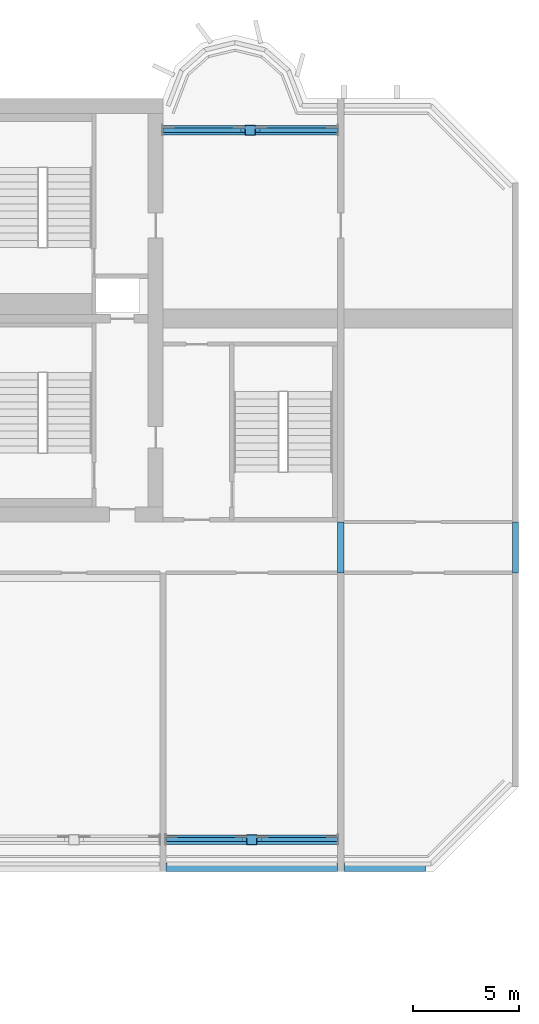
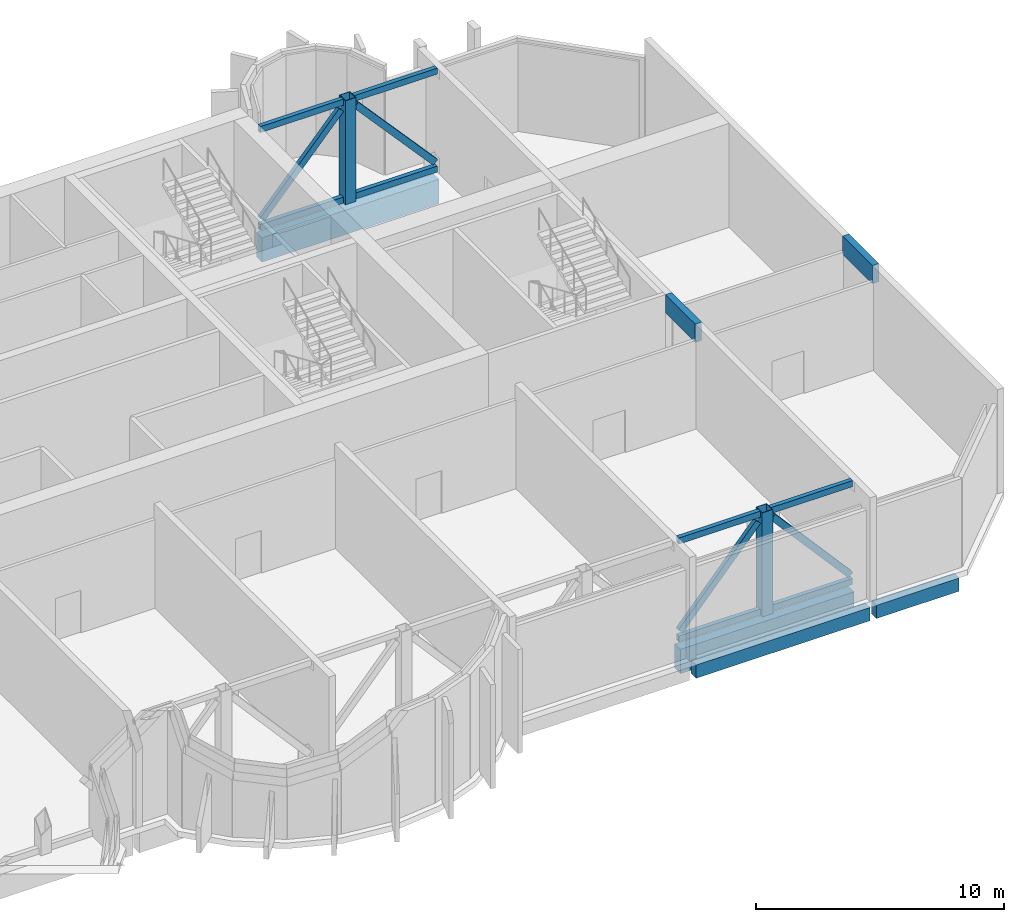
# One storey, part 2 of 15: 14 members, 6 beams.
"""IFC4 building model written with IfcOpenShell, lengths in metres."""

from ifc_helpers import new_model, si_unit, direction, frame, origin, origin_2d, place, context, subcontext, project, spatial, rectangle, hollow_rectangle, extrude, source, transform, mapped, material, material_profile, profile_set, type_object, element, save


model = new_model("IFC4")

# Units and contexts
model_context = context("Model", 3, precision=1e-05, world=origin(), true_north=direction((0.0, 1.0)))
body_context = subcontext(model_context, "Body", "Model", "MODEL_VIEW")
ifc_project = project(units=[si_unit("LENGTHUNIT", "METRE"), si_unit("AREAUNIT", "SQUARE_METRE"), si_unit("VOLUMEUNIT", "CUBIC_METRE"), si_unit("PLANEANGLEUNIT", "RADIAN"), si_unit("MASSUNIT", "GRAM", prefix="KILO")], contexts=[model_context])

# Site, building, storey
site_placement = place(None, origin())
site = spatial("IfcSite", under=ifc_project, at=site_placement, CompositionType="ELEMENT")
building_placement = place(site_placement, origin())
building = spatial("IfcBuilding", under=site, at=building_placement, Name="Vanashikhar Sky Hotel", CompositionType="ELEMENT")
storey_placement = place(building_placement, frame((0.0, 0.0, 201.0)))
storey = spatial("IfcBuildingStorey", under=building, at=storey_placement, Name="L49", CompositionType="ELEMENT", Elevation=201.0)

# Beams
ifc_material_1 = material(Name="Concrete M50", Category="concrete")
ifc_material_profile_1 = material_profile(ifc_material_1, rectangle(XDim=0.300048828125, YDim=0.89990234375, at=origin_2d()))
ifc_profile_set_1 = profile_set([ifc_material_profile_1], Name="RC 300x900 beam Concrete M50")
beam_type_1 = type_object("IfcBeamType", Name="RC 300x900 beam Concrete M50", PredefinedType="LINTEL", material=ifc_profile_set_1)
shared_shape_1 = source(origin(), body_context, "Body", "SweptSolid", [
    extrude(rectangle(XDim=0.300048828125, YDim=0.89990234375, at=origin_2d()), origin(), (0.0, 0.0, 1.0), 2.39990234375),
])
for number, where, z_axis, x_axis, name in (
    (1, (84.0, 19.60009765625, 4.669921875), (0.0, 1.0, 0.0), (-1.0, 0.0, 0.0), "LB-L49-XW11"),
    (2, (92.25, 19.60009765625, 4.669921875), (0.0, 1.0, 0.0), (-1.0, 0.0, 0.0), "LB-L49-XW12"),
):
    element("IfcBeam", number, at=place(storey_placement, frame(where, z_axis=z_axis, x_axis=x_axis)), inside=storey, type_object=beam_type_1, Name=name, PredefinedType="LINTEL", context=body_context, shape_type="MappedRepresentation", body=[
        mapped(shared_shape_1, transform((0.0, 0.0, 0.0), scale=1.0)),
    ])
ifc_material_profile_2 = material_profile(ifc_material_1, rectangle(XDim=0.39990234375, YDim=0.64990234375, at=origin_2d()))
ifc_profile_set_2 = profile_set([ifc_material_profile_2], Name="RC 400x650 beam Concrete M50")
beam_type_2 = type_object("IfcBeamType", Name="RC 400x650 beam Concrete M50", PredefinedType="BEAM", material=ifc_profile_set_2)
shared_shape_2 = source(origin(), body_context, "Body", "SweptSolid", [
    extrude(rectangle(XDim=0.39990234375, YDim=0.64990234375, at=origin_2d()), origin(), (0.0, 0.0, 1.0), 8.10009765625),
])
beam_1_placement = place(storey_placement, frame((75.75, 5.699951171875, -0.60498046875), z_axis=(1.0, 0.0, 0.0), x_axis=(0.0, 1.0, 0.0)))
element("IfcBeam", 3, at=beam_1_placement, inside=storey, type_object=beam_type_2, Name="EB-L49-F05", PredefinedType="BEAM", context=body_context, shape_type="MappedRepresentation", body=[
    mapped(shared_shape_2, transform((0.0, 0.0, 0.0), scale=1.0)),
])
ifc_material_profile_3 = material_profile(ifc_material_1, rectangle(XDim=0.39990234375, YDim=0.64990234375, at=origin_2d()))
ifc_profile_set_3 = profile_set([ifc_material_profile_3], Name="RC 400x650 cantilever beam Concrete M50")
beam_type_3 = type_object("IfcBeamType", Name="RC 400x650 cantilever beam Concrete M50", PredefinedType="SPANDREL", material=ifc_profile_set_3)
shared_shape_3 = source(origin(), body_context, "Body", "SweptSolid", [
    extrude(rectangle(XDim=0.39990234375, YDim=0.64990234375, at=origin_2d()), origin(), (0.0, 0.0, 1.0), 3.85009765625),
])
beam_2_placement = place(storey_placement, frame((84.14990234375, 5.699951171875, -0.60498046875), z_axis=(1.0, 0.0, 0.0), x_axis=(0.0, 1.0, 0.0)))
element("IfcBeam", 4, at=beam_2_placement, inside=storey, type_object=beam_type_3, Name="EB-L49-F06", PredefinedType="SPANDREL", context=body_context, shape_type="MappedRepresentation", body=[
    mapped(shared_shape_3, transform((0.0, 0.0, 0.0), scale=1.0)),
])
ifc_material_profile_4 = material_profile(ifc_material_1, rectangle(XDim=0.449951171875, YDim=1.199951171875, at=origin_2d()))
ifc_profile_set_4 = profile_set([ifc_material_profile_4], Name="RC 450x1200 beam Concrete M50")
beam_type_4 = type_object("IfcBeamType", Name="RC 450x1200 beam Concrete M50", PredefinedType="BEAM", material=ifc_profile_set_4)
shared_shape_4 = source(origin(), body_context, "Body", "SweptSolid", [
    extrude(rectangle(XDim=0.449951171875, YDim=1.199951171875, at=origin_2d()), origin(), (0.0, 0.0, 1.0), 8.10009765625),
])
beam_3_placement = place(storey_placement, frame((75.75, 7.0, -0.8798828125), z_axis=(1.0, 0.0, 0.0), x_axis=(0.0, 1.0, 0.0)))
element("IfcBeam", 5, at=beam_3_placement, inside=storey, type_object=beam_type_4, Name="TG-L49-F08", PredefinedType="BEAM", context=body_context, shape_type="MappedRepresentation", body=[
    mapped(shared_shape_4, transform((0.0, 0.0, 0.0), scale=1.0)),
])

# Members
ifc_material_2 = material(Name="Steel S355", Category="steel")
ifc_material_profile_5 = material_profile(ifc_material_2, hollow_rectangle(XDim=0.5, YDim=0.5, WallThickness=0.02490234375, at=origin_2d()))
ifc_profile_set_5 = profile_set([ifc_material_profile_5], Name="RHS 500x500x25 Steel S355")
member_type_1 = type_object("IfcMemberType", Name="RHS 500x500x25 Steel S355", PredefinedType="POST", material=ifc_profile_set_5)
shared_shape_5 = source(origin(), body_context, "Body", "SweptSolid", [
    extrude(hollow_rectangle(XDim=0.5, YDim=0.5, WallThickness=0.02490234375, at=origin_2d()), origin(), (0.0, 0.0, 1.0), 5.1201171875),
])
for number, where, z_axis, x_axis, name in (
    (6, (79.800048828125, 7.0, 0.0), (0.0, 0.0, 1.0), (1.0, 0.0, 0.0), "BP-L49-F08"),
    (7, (79.72509765625, 40.5, 0.0), (0.0, 0.0, 1.0), (1.0, 0.0, 0.0), "BP-L49-R10"),
):
    element("IfcMember", number, at=place(storey_placement, frame(where, z_axis=z_axis, x_axis=x_axis)), inside=storey, type_object=member_type_1, Name=name, PredefinedType="POST", context=body_context, shape_type="MappedRepresentation", body=[
        mapped(shared_shape_5, transform((0.0, 0.0, 0.0), scale=1.0)),
    ])
ifc_material_profile_6 = material_profile(ifc_material_2, hollow_rectangle(XDim=0.199951171875, YDim=0.300048828125, WallThickness=0.011962890625, at=origin_2d()))
ifc_profile_set_6 = profile_set([ifc_material_profile_6], Name="RHS 300x200x12 Steel S355")
member_type_2 = type_object("IfcMemberType", Name="RHS 300x200x12 Steel S355", PredefinedType="BRACE", material=ifc_profile_set_6)
shared_shape_6 = source(origin(), body_context, "Body", "SweptSolid", [
    extrude(hollow_rectangle(XDim=0.199951171875, YDim=0.300048828125, WallThickness=0.011962890625, at=origin_2d()), origin(), (0.0, 0.0, 1.0), 3.800048828125),
])
for number, where, z_axis, x_axis, name in (
    (8, (75.75, 7.0, 0.14990234375), (1.0, 0.0, 0.0), (0.0, 1.0, 0.0), "BC-L49-F08BL"),
    (9, (80.050048828125, 7.0, 0.14990234375), (1.0, 0.0, 0.0), (0.0, 1.0, 0.0), "BC-L49-F08BR"),
    (10, (75.75, 7.0, 4.969970703125), (1.0, 0.0, 0.0), (0.0, 1.0, 0.0), "BC-L49-F08TL"),
    (11, (80.050048828125, 7.0, 4.969970703125), (1.0, 0.0, 0.0), (0.0, 1.0, 0.0), "BC-L49-F08TR"),
):
    element("IfcMember", number, at=place(storey_placement, frame(where, z_axis=z_axis, x_axis=x_axis)), inside=storey, type_object=member_type_2, Name=name, PredefinedType="CHORD", context=body_context, shape_type="MappedRepresentation", body=[
        mapped(shared_shape_6, transform((0.0, 0.0, 0.0), scale=1.0)),
    ])
shared_shape_7 = source(origin(), body_context, "Body", "SweptSolid", [
    extrude(hollow_rectangle(XDim=0.199951171875, YDim=0.300048828125, WallThickness=0.011962890625, at=origin_2d()), origin(), (0.0, 0.0, 1.0), 5.484375),
])
member_1_placement = place(storey_placement, frame((75.840087890625, 7.0, 0.5), z_axis=(0.660028594275, 0.0, 0.751240477304), x_axis=(0.0, 1.0, 0.0)))
element("IfcMember", 12, at=member_1_placement, inside=storey, type_object=member_type_2, Name="BD-L49-F08L", PredefinedType="BRACE", context=body_context, shape_type="MappedRepresentation", body=[
    mapped(shared_shape_7, transform((0.0, 0.0, 0.0), scale=1.0)),
])
shared_shape_8 = source(origin(), body_context, "Body", "SweptSolid", [
    extrude(hollow_rectangle(XDim=0.199951171875, YDim=0.300048828125, WallThickness=0.011962890625, at=origin_2d()), origin(), (0.0, 0.0, 1.0), 5.484619140625),
])
member_2_placement = place(storey_placement, frame((83.760009765625, 7.0, 0.5), z_axis=(-0.660053715932, 0.0, 0.751218405049), x_axis=(0.0, -1.0, 0.0)))
element("IfcMember", 13, at=member_2_placement, inside=storey, type_object=member_type_2, Name="BD-L49-F08R", PredefinedType="BRACE", context=body_context, shape_type="MappedRepresentation", body=[
    mapped(shared_shape_8, transform((0.0, 0.0, 0.0), scale=1.0)),
])

# Beam
shared_shape_9 = source(origin(), body_context, "Body", "SweptSolid", [
    extrude(rectangle(XDim=0.449951171875, YDim=1.199951171875, at=origin_2d()), origin(), (0.0, 0.0, 1.0), 8.25),
])
beam_4_placement = place(storey_placement, frame((75.60009765625, 40.5, -0.8798828125), z_axis=(1.0, 0.0, 0.0), x_axis=(0.0, 1.0, 0.0)))
element("IfcBeam", 14, at=beam_4_placement, inside=storey, type_object=beam_type_4, Name="TG-L49-R10", PredefinedType="BEAM", context=body_context, shape_type="MappedRepresentation", body=[
    mapped(shared_shape_9, transform((0.0, 0.0, 0.0), scale=1.0)),
])

# Members
shared_shape_10 = source(origin(), body_context, "Body", "SweptSolid", [
    extrude(hollow_rectangle(XDim=0.199951171875, YDim=0.300048828125, WallThickness=0.011962890625, at=origin_2d()), origin(), (0.0, 0.0, 1.0), 3.875),
])
for number, where, z_axis, x_axis, name in (
    (15, (75.60009765625, 40.5, 0.14990234375), (1.0, 0.0, 0.0), (0.0, 1.0, 0.0), "BC-L49-R10BL"),
    (16, (79.97509765625, 40.5, 0.14990234375), (1.0, 0.0, 0.0), (0.0, 1.0, 0.0), "BC-L49-R10BR"),
    (17, (75.60009765625, 40.5, 4.969970703125), (1.0, 0.0, 0.0), (0.0, 1.0, 0.0), "BC-L49-R10TL"),
    (18, (79.97509765625, 40.5, 4.969970703125), (1.0, 0.0, 0.0), (0.0, 1.0, 0.0), "BC-L49-R10TR"),
):
    element("IfcMember", number, at=place(storey_placement, frame(where, z_axis=z_axis, x_axis=x_axis)), inside=storey, type_object=member_type_2, Name=name, PredefinedType="CHORD", context=body_context, shape_type="MappedRepresentation", body=[
        mapped(shared_shape_10, transform((0.0, 0.0, 0.0), scale=1.0)),
    ])
shared_shape_11 = source(origin(), body_context, "Body", "SweptSolid", [
    extrude(hollow_rectangle(XDim=0.199951171875, YDim=0.300048828125, WallThickness=0.011962890625, at=origin_2d()), origin(), (0.0, 0.0, 1.0), 5.534423828125),
])
for number, where, z_axis, x_axis, name in (
    (19, (75.68994140625, 40.5, 0.5), (0.667662227448, 0.0, 0.744464337655), (0.0, 1.0, 0.0), "BD-L49-R10L"),
    (20, (83.760009765625, 40.5, 0.5), (-0.667662227448, 0.0, 0.744464337655), (0.0, -1.0, 0.0), "BD-L49-R10R"),
):
    element("IfcMember", number, at=place(storey_placement, frame(where, z_axis=z_axis, x_axis=x_axis)), inside=storey, type_object=member_type_2, Name=name, PredefinedType="BRACE", context=body_context, shape_type="MappedRepresentation", body=[
        mapped(shared_shape_11, transform((0.0, 0.0, 0.0), scale=1.0)),
    ])

save(model, "model.ifc")
